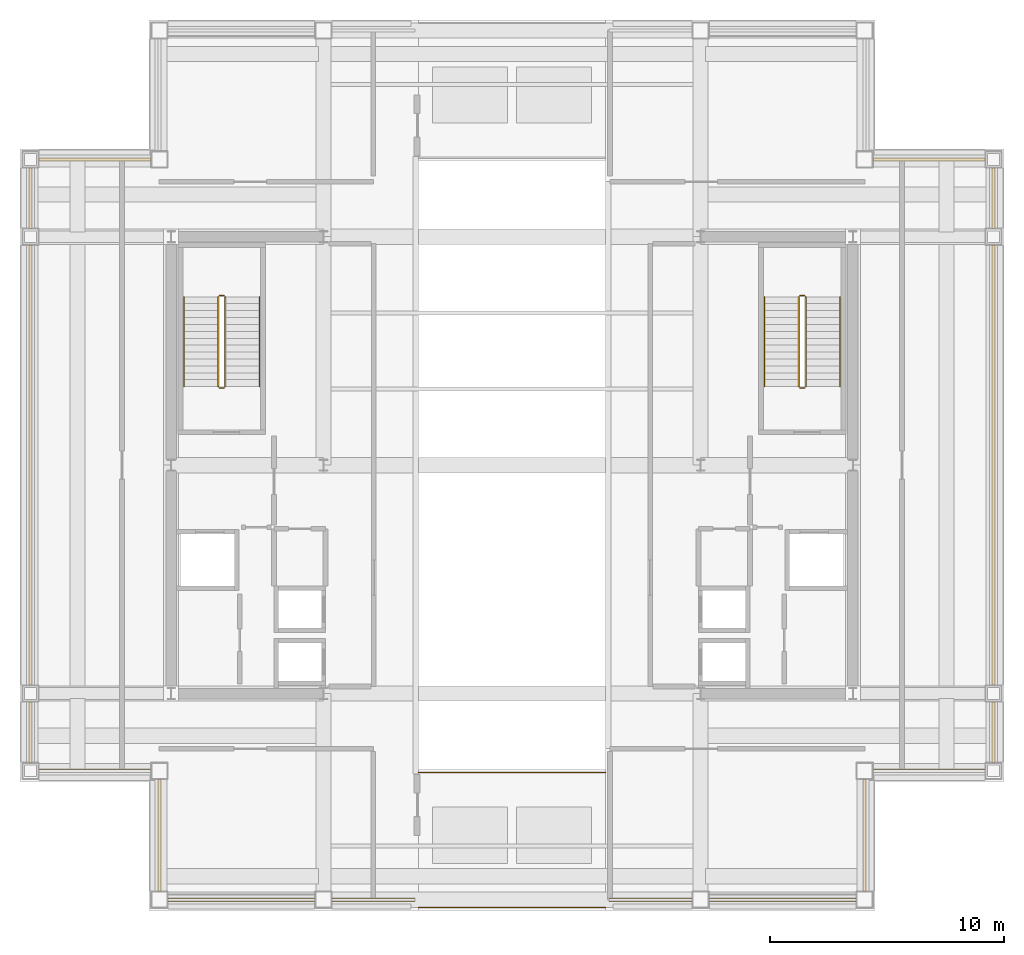
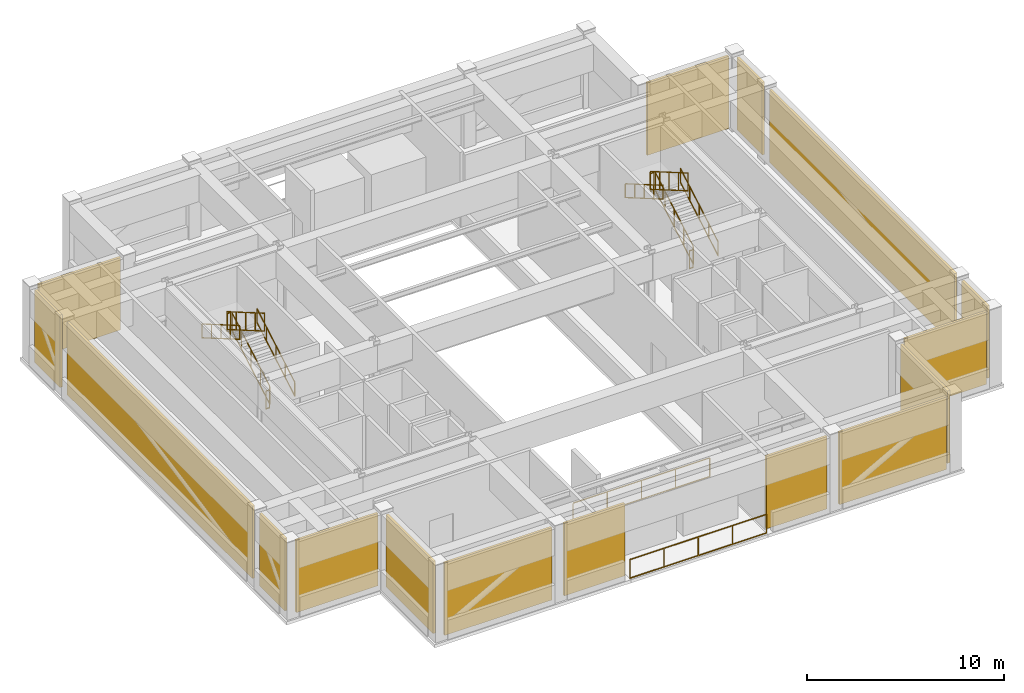
# One storey, part 6 of 8: 16 shading devices, 14 railings.
"""IFC4 building model written with IfcOpenShell, lengths in metres."""

from ifc_helpers import new_model, si_unit, direction, frame, origin, origin_2d, place, context, subcontext, project, spatial, rectangle, extrude, material, layer, layer_set, type_object, element, save


model = new_model("IFC4")

# Units and contexts
model_context = context("Model", 3, precision=1e-05, world=origin(), true_north=direction((0.0, 1.0)))
body_context = subcontext(model_context, "Body", "Model", "MODEL_VIEW")
ifc_project = project(units=[si_unit("LENGTHUNIT", "METRE"), si_unit("AREAUNIT", "SQUARE_METRE"), si_unit("VOLUMEUNIT", "CUBIC_METRE"), si_unit("PLANEANGLEUNIT", "RADIAN"), si_unit("MASSUNIT", "GRAM", prefix="KILO")], contexts=[model_context])

# Site, building, storey
site_placement = place(None, origin())
site = spatial("IfcSite", under=ifc_project, at=site_placement, CompositionType="ELEMENT")
building_placement = place(site_placement, origin())
building = spatial("IfcBuilding", under=site, at=building_placement, Name="Brelmoor Portico Tower", CompositionType="ELEMENT")
storey_placement = place(building_placement, frame((0.0, 0.0, 209.10009765625)))
storey = spatial("IfcBuildingStorey", under=building, at=storey_placement, Name="L55", CompositionType="ELEMENT", Elevation=209.10009765625)

# Railings
ifc_material_1 = material(Name="Perforated Pale Champagne Aluminium Fretwork Guard", Category="aluminium")
railing_type_1 = type_object("IfcRailingType", Name="RL-BALUSTRADE-1200", PredefinedType="BALUSTRADE", material=ifc_material_1)
for number, where, name in (
    (1, (-4.0, -18.8798828125, 0.0), "L55 Wind-Turbine Slot Guardrail 01"),
    (2, (-4.0, -13.1201171875, 0.0), "L55 Wind-Turbine Slot Guardrail 02"),
):
    element("IfcRailing", number, at=place(storey_placement, frame(where)), inside=storey, type_object=railing_type_1, Name=name, PredefinedType="BALUSTRADE", context=body_context, shape_type="SweptSolid", body=[
        extrude(rectangle(XDim=0.048095703125, YDim=0.048095703125, at=origin_2d()), frame((0.0, 0.0, 1.17578125), z_axis=(1.0, 0.0, 0.0), x_axis=(0.0, 1.0, 0.0)), (0.0, 0.0, 1.0), 8.0),
        extrude(rectangle(XDim=0.048095703125, YDim=0.048095703125, at=origin_2d()), frame((0.0, 0.0, 0.02392578125), z_axis=(1.0, 0.0, 0.0), x_axis=(0.0, 1.0, 0.0)), (0.0, 0.0, 1.0), 8.0),
        extrude(rectangle(XDim=0.0419921875, YDim=0.0419921875, at=origin_2d()), origin(), (0.0, 0.0, 1.0), 1.15185546875),
        extrude(rectangle(XDim=0.0419921875, YDim=0.0419921875, at=origin_2d()), frame((2.0, 0.0, 0.0)), (0.0, 0.0, 1.0), 1.15185546875),
        extrude(rectangle(XDim=0.0419921875, YDim=0.0419921875, at=origin_2d()), frame((4.0, 0.0, 0.0)), (0.0, 0.0, 1.0), 1.15185546875),
        extrude(rectangle(XDim=0.0419921875, YDim=0.0419921875, at=origin_2d()), frame((6.0, 0.0, 0.0)), (0.0, 0.0, 1.0), 1.15185546875),
        extrude(rectangle(XDim=0.0419921875, YDim=0.0419921875, at=origin_2d()), frame((8.0, 0.0, 0.0)), (0.0, 0.0, 1.0), 1.15185546875),
    ])
ifc_material_2 = material(Name="Painted Tubular Steel Q235B", Category="steel")
railing_type_2 = type_object("IfcRailingType", Name="RL-STAIR-GUARD", PredefinedType="GUARDRAIL", material=ifc_material_2)
railing_1_placement = place(storey_placement, frame((-12.239990234375, 3.35009765625, 0.17138671875)))
element("IfcRailing", 3, at=railing_1_placement, inside=storey, type_object=railing_type_2, Name="L55 ST-W stair guard 1", PredefinedType="GUARDRAIL", context=body_context, shape_type="SweptSolid", body=[
    extrude(rectangle(XDim=0.048095703125, YDim=0.048095703125, at=origin_2d()), frame((0.0, 0.0, 1.1259765625), z_axis=(0.0, 0.86461618451, 0.502432934314), x_axis=(-1.0, 0.0, 0.0)), (0.0, 0.0, 1.0), 4.435546875),
    extrude(rectangle(XDim=0.048095703125, YDim=0.048095703125, at=origin_2d()), frame((0.0, 0.0, 0.02392578125), z_axis=(0.0, 0.86461618451, 0.502432934314), x_axis=(-1.0, 0.0, 0.0)), (0.0, 0.0, 1.0), 4.435546875),
    extrude(rectangle(XDim=0.0419921875, YDim=0.0419921875, at=origin_2d()), origin(), (0.0, 0.0, 1.0), 1.101806640625),
    extrude(rectangle(XDim=0.0419921875, YDim=0.0419921875, at=origin_2d()), frame((0.0, 0.958740234375, 0.55712890625)), (0.0, 0.0, 1.0), 1.101806640625),
    extrude(rectangle(XDim=0.0419921875, YDim=0.0419921875, at=origin_2d()), frame((0.0, 1.91748046875, 1.1142578125)), (0.0, 0.0, 1.0), 1.101806640625),
    extrude(rectangle(XDim=0.0419921875, YDim=0.0419921875, at=origin_2d()), frame((0.0, 2.876220703125, 1.67138671875)), (0.0, 0.0, 1.0), 1.101806640625),
    extrude(rectangle(XDim=0.0419921875, YDim=0.0419921875, at=origin_2d()), frame((0.0, 3.8349609375, 2.228515625)), (0.0, 0.0, 1.0), 1.101806640625),
])
railing_2_placement = place(storey_placement, frame((-12.2900390625, 7.235107421875, 2.39990234375)))
element("IfcRailing", 4, at=railing_2_placement, inside=storey, type_object=railing_type_2, Name="L55 ST-W stair guard 2", PredefinedType="GUARDRAIL", context=body_context, shape_type="SweptSolid", body=[
    extrude(rectangle(XDim=0.048095703125, YDim=0.048095703125, at=origin_2d()), frame((0.0, 0.0, 1.1259765625), z_axis=(-1.0, 0.0, 0.0), x_axis=(0.0, -1.0, 0.0)), (0.0, 0.0, 1.0), 0.199951171875),
    extrude(rectangle(XDim=0.048095703125, YDim=0.048095703125, at=origin_2d()), frame((0.0, 0.0, 0.02392578125), z_axis=(-1.0, 0.0, 0.0), x_axis=(0.0, -1.0, 0.0)), (0.0, 0.0, 1.0), 0.199951171875),
    extrude(rectangle(XDim=0.0419921875, YDim=0.0419921875, at=origin_2d()), origin(), (0.0, 0.0, 1.0), 1.101806640625),
    extrude(rectangle(XDim=0.0419921875, YDim=0.0419921875, at=origin_2d()), frame((-0.199951171875, 0.0, 0.0)), (0.0, 0.0, 1.0), 1.101806640625),
])
railing_3_placement = place(storey_placement, frame((-12.5400390625, 7.18505859375, 2.5712890625)))
element("IfcRailing", 5, at=railing_3_placement, inside=storey, type_object=railing_type_2, Name="L55 ST-W stair guard 3", PredefinedType="GUARDRAIL", context=body_context, shape_type="SweptSolid", body=[
    extrude(rectangle(XDim=0.048095703125, YDim=0.048095703125, at=origin_2d()), frame((0.0, 0.0, 1.1259765625), z_axis=(0.0, -0.86461618451, 0.502432934314), x_axis=(1.0, 0.0, 0.0)), (0.0, 0.0, 1.0), 4.435546875),
    extrude(rectangle(XDim=0.048095703125, YDim=0.048095703125, at=origin_2d()), frame((0.0, 0.0, 0.02392578125), z_axis=(0.0, -0.86461618451, 0.502432934314), x_axis=(1.0, 0.0, 0.0)), (0.0, 0.0, 1.0), 4.435546875),
    extrude(rectangle(XDim=0.0419921875, YDim=0.0419921875, at=origin_2d()), origin(), (0.0, 0.0, 1.0), 1.101806640625),
    extrude(rectangle(XDim=0.0419921875, YDim=0.0419921875, at=origin_2d()), frame((0.0, -0.958740234375, 0.55712890625)), (0.0, 0.0, 1.0), 1.101806640625),
    extrude(rectangle(XDim=0.0419921875, YDim=0.0419921875, at=origin_2d()), frame((0.0, -1.91748046875, 1.1142578125)), (0.0, 0.0, 1.0), 1.101806640625),
    extrude(rectangle(XDim=0.0419921875, YDim=0.0419921875, at=origin_2d()), frame((0.0, -2.876220703125, 1.67138671875)), (0.0, 0.0, 1.0), 1.101806640625),
    extrude(rectangle(XDim=0.0419921875, YDim=0.0419921875, at=origin_2d()), frame((0.0, -3.8349609375, 2.228515625)), (0.0, 0.0, 1.0), 1.101806640625),
])
railing_4_placement = place(storey_placement, frame((-12.2900390625, 3.300048828125, 0.0)))
element("IfcRailing", 6, at=railing_4_placement, inside=storey, type_object=railing_type_2, Name="L55 ST-W stair guard 4", PredefinedType="GUARDRAIL", context=body_context, shape_type="SweptSolid", body=[
    extrude(rectangle(XDim=0.048095703125, YDim=0.048095703125, at=origin_2d()), frame((0.0, 0.0, 1.1259765625), z_axis=(-1.0, 0.0, 0.0), x_axis=(0.0, -1.0, 0.0)), (0.0, 0.0, 1.0), 0.199951171875),
    extrude(rectangle(XDim=0.048095703125, YDim=0.048095703125, at=origin_2d()), frame((0.0, 0.0, 0.02392578125), z_axis=(-1.0, 0.0, 0.0), x_axis=(0.0, -1.0, 0.0)), (0.0, 0.0, 1.0), 0.199951171875),
    extrude(rectangle(XDim=0.0419921875, YDim=0.0419921875, at=origin_2d()), origin(), (0.0, 0.0, 1.0), 1.101806640625),
    extrude(rectangle(XDim=0.0419921875, YDim=0.0419921875, at=origin_2d()), frame((-0.199951171875, 0.0, 0.0)), (0.0, 0.0, 1.0), 1.101806640625),
])
railing_5_placement = place(storey_placement, frame((12.5400390625, 3.35009765625, 0.17138671875)))
element("IfcRailing", 7, at=railing_5_placement, inside=storey, type_object=railing_type_2, Name="L55 ST-E stair guard 1", PredefinedType="GUARDRAIL", context=body_context, shape_type="SweptSolid", body=[
    extrude(rectangle(XDim=0.048095703125, YDim=0.048095703125, at=origin_2d()), frame((0.0, 0.0, 1.1259765625), z_axis=(0.0, 0.86461618451, 0.502432934314), x_axis=(-1.0, 0.0, 0.0)), (0.0, 0.0, 1.0), 4.435546875),
    extrude(rectangle(XDim=0.048095703125, YDim=0.048095703125, at=origin_2d()), frame((0.0, 0.0, 0.02392578125), z_axis=(0.0, 0.86461618451, 0.502432934314), x_axis=(-1.0, 0.0, 0.0)), (0.0, 0.0, 1.0), 4.435546875),
    extrude(rectangle(XDim=0.0419921875, YDim=0.0419921875, at=origin_2d()), origin(), (0.0, 0.0, 1.0), 1.101806640625),
    extrude(rectangle(XDim=0.0419921875, YDim=0.0419921875, at=origin_2d()), frame((0.0, 0.958740234375, 0.55712890625)), (0.0, 0.0, 1.0), 1.101806640625),
    extrude(rectangle(XDim=0.0419921875, YDim=0.0419921875, at=origin_2d()), frame((0.0, 1.91748046875, 1.1142578125)), (0.0, 0.0, 1.0), 1.101806640625),
    extrude(rectangle(XDim=0.0419921875, YDim=0.0419921875, at=origin_2d()), frame((0.0, 2.876220703125, 1.67138671875)), (0.0, 0.0, 1.0), 1.101806640625),
    extrude(rectangle(XDim=0.0419921875, YDim=0.0419921875, at=origin_2d()), frame((0.0, 3.8349609375, 2.228515625)), (0.0, 0.0, 1.0), 1.101806640625),
])
railing_6_placement = place(storey_placement, frame((12.489990234375, 7.235107421875, 2.39990234375)))
element("IfcRailing", 8, at=railing_6_placement, inside=storey, type_object=railing_type_2, Name="L55 ST-E stair guard 2", PredefinedType="GUARDRAIL", context=body_context, shape_type="SweptSolid", body=[
    extrude(rectangle(XDim=0.048095703125, YDim=0.048095703125, at=origin_2d()), frame((0.0, 0.0, 1.1259765625), z_axis=(-1.0, 0.0, 0.0), x_axis=(0.0, -1.0, 0.0)), (0.0, 0.0, 1.0), 0.199951171875),
    extrude(rectangle(XDim=0.048095703125, YDim=0.048095703125, at=origin_2d()), frame((0.0, 0.0, 0.02392578125), z_axis=(-1.0, 0.0, 0.0), x_axis=(0.0, -1.0, 0.0)), (0.0, 0.0, 1.0), 0.199951171875),
    extrude(rectangle(XDim=0.0419921875, YDim=0.0419921875, at=origin_2d()), origin(), (0.0, 0.0, 1.0), 1.101806640625),
    extrude(rectangle(XDim=0.0419921875, YDim=0.0419921875, at=origin_2d()), frame((-0.199951171875, 0.0, 0.0)), (0.0, 0.0, 1.0), 1.101806640625),
])
railing_7_placement = place(storey_placement, frame((12.239990234375, 7.18505859375, 2.5712890625)))
element("IfcRailing", 9, at=railing_7_placement, inside=storey, type_object=railing_type_2, Name="L55 ST-E stair guard 3", PredefinedType="GUARDRAIL", context=body_context, shape_type="SweptSolid", body=[
    extrude(rectangle(XDim=0.048095703125, YDim=0.048095703125, at=origin_2d()), frame((0.0, 0.0, 1.1259765625), z_axis=(0.0, -0.86461618451, 0.502432934314), x_axis=(1.0, 0.0, 0.0)), (0.0, 0.0, 1.0), 4.435546875),
    extrude(rectangle(XDim=0.048095703125, YDim=0.048095703125, at=origin_2d()), frame((0.0, 0.0, 0.02392578125), z_axis=(0.0, -0.86461618451, 0.502432934314), x_axis=(1.0, 0.0, 0.0)), (0.0, 0.0, 1.0), 4.435546875),
    extrude(rectangle(XDim=0.0419921875, YDim=0.0419921875, at=origin_2d()), origin(), (0.0, 0.0, 1.0), 1.101806640625),
    extrude(rectangle(XDim=0.0419921875, YDim=0.0419921875, at=origin_2d()), frame((0.0, -0.958740234375, 0.55712890625)), (0.0, 0.0, 1.0), 1.101806640625),
    extrude(rectangle(XDim=0.0419921875, YDim=0.0419921875, at=origin_2d()), frame((0.0, -1.91748046875, 1.1142578125)), (0.0, 0.0, 1.0), 1.101806640625),
    extrude(rectangle(XDim=0.0419921875, YDim=0.0419921875, at=origin_2d()), frame((0.0, -2.876220703125, 1.67138671875)), (0.0, 0.0, 1.0), 1.101806640625),
    extrude(rectangle(XDim=0.0419921875, YDim=0.0419921875, at=origin_2d()), frame((0.0, -3.8349609375, 2.228515625)), (0.0, 0.0, 1.0), 1.101806640625),
])
railing_8_placement = place(storey_placement, frame((12.489990234375, 3.300048828125, 0.0)))
element("IfcRailing", 10, at=railing_8_placement, inside=storey, type_object=railing_type_2, Name="L55 ST-E stair guard 4", PredefinedType="GUARDRAIL", context=body_context, shape_type="SweptSolid", body=[
    extrude(rectangle(XDim=0.048095703125, YDim=0.048095703125, at=origin_2d()), frame((0.0, 0.0, 1.1259765625), z_axis=(-1.0, 0.0, 0.0), x_axis=(0.0, -1.0, 0.0)), (0.0, 0.0, 1.0), 0.199951171875),
    extrude(rectangle(XDim=0.048095703125, YDim=0.048095703125, at=origin_2d()), frame((0.0, 0.0, 0.02392578125), z_axis=(-1.0, 0.0, 0.0), x_axis=(0.0, -1.0, 0.0)), (0.0, 0.0, 1.0), 0.199951171875),
    extrude(rectangle(XDim=0.0419921875, YDim=0.0419921875, at=origin_2d()), origin(), (0.0, 0.0, 1.0), 1.101806640625),
    extrude(rectangle(XDim=0.0419921875, YDim=0.0419921875, at=origin_2d()), frame((-0.199951171875, 0.0, 0.0)), (0.0, 0.0, 1.0), 1.101806640625),
])
ifc_material_3 = material(Name="Brushed Stainless Steel 304", Category="steel")
railing_type_3 = type_object("IfcRailingType", Name="RL-STAIR-HANDRAIL", PredefinedType="HANDRAIL", material=ifc_material_3)
railing_9_placement = place(storey_placement, frame((-10.780029296875, 3.35009765625, 0.17138671875)))
element("IfcRailing", 11, at=railing_9_placement, inside=storey, type_object=railing_type_3, Name="L55 ST-W stair handrail 1", PredefinedType="HANDRAIL", context=body_context, shape_type="SweptSolid", body=[
    extrude(rectangle(XDim=0.048095703125, YDim=0.048095703125, at=origin_2d()), frame((0.0, 0.0, 0.8759765625), z_axis=(0.0, 0.86461618451, 0.502432934314), x_axis=(-1.0, 0.0, 0.0)), (0.0, 0.0, 1.0), 4.435546875),
    extrude(rectangle(XDim=0.048095703125, YDim=0.048095703125, at=origin_2d()), frame((0.0, 0.0, 0.02392578125), z_axis=(0.0, 0.86461618451, 0.502432934314), x_axis=(-1.0, 0.0, 0.0)), (0.0, 0.0, 1.0), 4.435546875),
    extrude(rectangle(XDim=0.0419921875, YDim=0.0419921875, at=origin_2d()), origin(), (0.0, 0.0, 1.0), 0.851806640625),
    extrude(rectangle(XDim=0.0419921875, YDim=0.0419921875, at=origin_2d()), frame((0.0, 0.958740234375, 0.55712890625)), (0.0, 0.0, 1.0), 0.851806640625),
    extrude(rectangle(XDim=0.0419921875, YDim=0.0419921875, at=origin_2d()), frame((0.0, 1.91748046875, 1.1142578125)), (0.0, 0.0, 1.0), 0.851806640625),
    extrude(rectangle(XDim=0.0419921875, YDim=0.0419921875, at=origin_2d()), frame((0.0, 2.876220703125, 1.67138671875)), (0.0, 0.0, 1.0), 0.851806640625),
    extrude(rectangle(XDim=0.0419921875, YDim=0.0419921875, at=origin_2d()), frame((0.0, 3.8349609375, 2.228515625)), (0.0, 0.0, 1.0), 0.851806640625),
])
railing_10_placement = place(storey_placement, frame((-14.0, 7.18505859375, 2.5712890625)))
element("IfcRailing", 12, at=railing_10_placement, inside=storey, type_object=railing_type_3, Name="L55 ST-W stair handrail 2", PredefinedType="HANDRAIL", context=body_context, shape_type="SweptSolid", body=[
    extrude(rectangle(XDim=0.048095703125, YDim=0.048095703125, at=origin_2d()), frame((0.0, 0.0, 0.8759765625), z_axis=(0.0, -0.86461618451, 0.502432934314), x_axis=(1.0, 0.0, 0.0)), (0.0, 0.0, 1.0), 4.435546875),
    extrude(rectangle(XDim=0.048095703125, YDim=0.048095703125, at=origin_2d()), frame((0.0, 0.0, 0.02392578125), z_axis=(0.0, -0.86461618451, 0.502432934314), x_axis=(1.0, 0.0, 0.0)), (0.0, 0.0, 1.0), 4.435546875),
    extrude(rectangle(XDim=0.0419921875, YDim=0.0419921875, at=origin_2d()), origin(), (0.0, 0.0, 1.0), 0.851806640625),
    extrude(rectangle(XDim=0.0419921875, YDim=0.0419921875, at=origin_2d()), frame((0.0, -0.958740234375, 0.55712890625)), (0.0, 0.0, 1.0), 0.851806640625),
    extrude(rectangle(XDim=0.0419921875, YDim=0.0419921875, at=origin_2d()), frame((0.0, -1.91748046875, 1.1142578125)), (0.0, 0.0, 1.0), 0.851806640625),
    extrude(rectangle(XDim=0.0419921875, YDim=0.0419921875, at=origin_2d()), frame((0.0, -2.876220703125, 1.67138671875)), (0.0, 0.0, 1.0), 0.851806640625),
    extrude(rectangle(XDim=0.0419921875, YDim=0.0419921875, at=origin_2d()), frame((0.0, -3.8349609375, 2.228515625)), (0.0, 0.0, 1.0), 0.851806640625),
])
railing_11_placement = place(storey_placement, frame((14.0, 3.35009765625, 0.17138671875)))
element("IfcRailing", 13, at=railing_11_placement, inside=storey, type_object=railing_type_3, Name="L55 ST-E stair handrail 1", PredefinedType="HANDRAIL", context=body_context, shape_type="SweptSolid", body=[
    extrude(rectangle(XDim=0.048095703125, YDim=0.048095703125, at=origin_2d()), frame((0.0, 0.0, 0.8759765625), z_axis=(0.0, 0.86461618451, 0.502432934314), x_axis=(-1.0, 0.0, 0.0)), (0.0, 0.0, 1.0), 4.435546875),
    extrude(rectangle(XDim=0.048095703125, YDim=0.048095703125, at=origin_2d()), frame((0.0, 0.0, 0.02392578125), z_axis=(0.0, 0.86461618451, 0.502432934314), x_axis=(-1.0, 0.0, 0.0)), (0.0, 0.0, 1.0), 4.435546875),
    extrude(rectangle(XDim=0.0419921875, YDim=0.0419921875, at=origin_2d()), origin(), (0.0, 0.0, 1.0), 0.851806640625),
    extrude(rectangle(XDim=0.0419921875, YDim=0.0419921875, at=origin_2d()), frame((0.0, 0.958740234375, 0.55712890625)), (0.0, 0.0, 1.0), 0.851806640625),
    extrude(rectangle(XDim=0.0419921875, YDim=0.0419921875, at=origin_2d()), frame((0.0, 1.91748046875, 1.1142578125)), (0.0, 0.0, 1.0), 0.851806640625),
    extrude(rectangle(XDim=0.0419921875, YDim=0.0419921875, at=origin_2d()), frame((0.0, 2.876220703125, 1.67138671875)), (0.0, 0.0, 1.0), 0.851806640625),
    extrude(rectangle(XDim=0.0419921875, YDim=0.0419921875, at=origin_2d()), frame((0.0, 3.8349609375, 2.228515625)), (0.0, 0.0, 1.0), 0.851806640625),
])
railing_12_placement = place(storey_placement, frame((10.780029296875, 7.18505859375, 2.5712890625)))
element("IfcRailing", 14, at=railing_12_placement, inside=storey, type_object=railing_type_3, Name="L55 ST-E stair handrail 2", PredefinedType="HANDRAIL", context=body_context, shape_type="SweptSolid", body=[
    extrude(rectangle(XDim=0.048095703125, YDim=0.048095703125, at=origin_2d()), frame((0.0, 0.0, 0.8759765625), z_axis=(0.0, -0.86461618451, 0.502432934314), x_axis=(1.0, 0.0, 0.0)), (0.0, 0.0, 1.0), 4.435546875),
    extrude(rectangle(XDim=0.048095703125, YDim=0.048095703125, at=origin_2d()), frame((0.0, 0.0, 0.02392578125), z_axis=(0.0, -0.86461618451, 0.502432934314), x_axis=(1.0, 0.0, 0.0)), (0.0, 0.0, 1.0), 4.435546875),
    extrude(rectangle(XDim=0.0419921875, YDim=0.0419921875, at=origin_2d()), origin(), (0.0, 0.0, 1.0), 0.851806640625),
    extrude(rectangle(XDim=0.0419921875, YDim=0.0419921875, at=origin_2d()), frame((0.0, -0.958740234375, 0.55712890625)), (0.0, 0.0, 1.0), 0.851806640625),
    extrude(rectangle(XDim=0.0419921875, YDim=0.0419921875, at=origin_2d()), frame((0.0, -1.91748046875, 1.1142578125)), (0.0, 0.0, 1.0), 0.851806640625),
    extrude(rectangle(XDim=0.0419921875, YDim=0.0419921875, at=origin_2d()), frame((0.0, -2.876220703125, 1.67138671875)), (0.0, 0.0, 1.0), 0.851806640625),
    extrude(rectangle(XDim=0.0419921875, YDim=0.0419921875, at=origin_2d()), frame((0.0, -3.8349609375, 2.228515625)), (0.0, 0.0, 1.0), 0.851806640625),
])

# Shading devices
ifc_material_4 = material(Name="Extruded Aluminium Acoustic Weather Louvre", Category="aluminium")
ifc_layer = layer(ifc_material_4, 0.139892578125)
ifc_layer_set = layer_set([ifc_layer], Name="Extruded Aluminium Acoustic Weather Louvre")
shading_device_type = type_object("IfcShadingDeviceType", Name="SD-PLANT-LOUVRE", PredefinedType="USERDEFINED", material=ifc_layer_set)
shading_device_1_placement = place(storey_placement, frame((-11.550048828125, -18.550048828125, 0.059814453125), z_axis=(0.0, 0.0, 1.0), x_axis=(1.0, 0.0, 0.0)))
element("IfcShadingDevice", 15, at=shading_device_1_placement, inside=storey, type_object=shading_device_type, Name="L55 Acoustic Plant Louvre S1-1", ObjectType="LOUVRE", PredefinedType="USERDEFINED", context=body_context, shape_type="SweptSolid", body=[
    extrude(rectangle(XDim=6.280029296875, YDim=0.139892578125, at=origin_2d()), origin(), (0.0, 0.0, 1.0), 4.47998046875),
])
for number, where, z_axis, x_axis, name in (
    (16, (-5.919921875, -18.550048828125, 0.059814453125), (0.0, 0.0, 1.0), (1.0, 0.0, 0.0), "L55 Acoustic Plant Louvre S1-2"),
    (17, (5.919921875, -18.550048828125, 0.059814453125), (0.0, 0.0, 1.0), (1.0, 0.0, 0.0), "L55 Acoustic Plant Louvre S2-1"),
):
    element("IfcShadingDevice", number, at=place(storey_placement, frame(where, z_axis=z_axis, x_axis=x_axis)), inside=storey, type_object=shading_device_type, Name=name, ObjectType="LOUVRE", PredefinedType="USERDEFINED", context=body_context, shape_type="SweptSolid", body=[
        extrude(rectangle(XDim=3.5400390625, YDim=0.139892578125, at=origin_2d()), origin(), (0.0, 0.0, 1.0), 4.47998046875),
    ])
shading_device_2_placement = place(storey_placement, frame((11.550048828125, -18.550048828125, 0.059814453125), z_axis=(0.0, 0.0, 1.0), x_axis=(1.0, 0.0, 0.0)))
element("IfcShadingDevice", 18, at=shading_device_2_placement, inside=storey, type_object=shading_device_type, Name="L55 Acoustic Plant Louvre S2-2", ObjectType="LOUVRE", PredefinedType="USERDEFINED", context=body_context, shape_type="SweptSolid", body=[
    extrude(rectangle(XDim=6.280029296875, YDim=0.139892578125, at=origin_2d()), origin(), (0.0, 0.0, 1.0), 4.47998046875),
])
shading_device_3_placement = place(storey_placement, frame((-20.550048828125, -11.39990234375, 0.059814453125), z_axis=(0.0, 0.0, 1.0), x_axis=(0.0, 1.0, 0.0)))
element("IfcShadingDevice", 19, at=shading_device_3_placement, inside=storey, type_object=shading_device_type, Name="L55 Acoustic Plant Louvre W-1", ObjectType="LOUVRE", PredefinedType="USERDEFINED", context=body_context, shape_type="SweptSolid", body=[
    extrude(rectangle(XDim=2.580078125, YDim=0.139892578125, at=origin_2d()), origin(), (0.0, 0.0, 1.0), 4.47998046875),
])
shading_device_4_placement = place(storey_placement, frame((-20.550048828125, 0.0, 0.059814453125), z_axis=(0.0, 0.0, 1.0), x_axis=(0.0, 1.0, 0.0)))
element("IfcShadingDevice", 20, at=shading_device_4_placement, inside=storey, type_object=shading_device_type, Name="L55 Acoustic Plant Louvre W-2", ObjectType="LOUVRE", PredefinedType="USERDEFINED", context=body_context, shape_type="SweptSolid", body=[
    extrude(rectangle(XDim=18.780029296875, YDim=0.139892578125, at=origin_2d()), origin(), (0.0, 0.0, 1.0), 4.47998046875),
])
for number, where, z_axis, x_axis, name in (
    (21, (-20.550048828125, 11.39990234375, 0.059814453125), (0.0, 0.0, 1.0), (0.0, 1.0, 0.0), "L55 Acoustic Plant Louvre W-3"),
    (22, (20.550048828125, -11.39990234375, 0.059814453125), (0.0, 0.0, 1.0), (0.0, 1.0, 0.0), "L55 Acoustic Plant Louvre E-1"),
):
    element("IfcShadingDevice", number, at=place(storey_placement, frame(where, z_axis=z_axis, x_axis=x_axis)), inside=storey, type_object=shading_device_type, Name=name, ObjectType="LOUVRE", PredefinedType="USERDEFINED", context=body_context, shape_type="SweptSolid", body=[
        extrude(rectangle(XDim=2.580078125, YDim=0.139892578125, at=origin_2d()), origin(), (0.0, 0.0, 1.0), 4.47998046875),
    ])
shading_device_5_placement = place(storey_placement, frame((20.550048828125, 0.0, 0.059814453125), z_axis=(0.0, 0.0, 1.0), x_axis=(0.0, 1.0, 0.0)))
element("IfcShadingDevice", 23, at=shading_device_5_placement, inside=storey, type_object=shading_device_type, Name="L55 Acoustic Plant Louvre E-2", ObjectType="LOUVRE", PredefinedType="USERDEFINED", context=body_context, shape_type="SweptSolid", body=[
    extrude(rectangle(XDim=18.780029296875, YDim=0.139892578125, at=origin_2d()), origin(), (0.0, 0.0, 1.0), 4.47998046875),
])
shading_device_6_placement = place(storey_placement, frame((20.550048828125, 11.39990234375, 0.059814453125), z_axis=(0.0, 0.0, 1.0), x_axis=(0.0, 1.0, 0.0)))
element("IfcShadingDevice", 24, at=shading_device_6_placement, inside=storey, type_object=shading_device_type, Name="L55 Acoustic Plant Louvre E-3", ObjectType="LOUVRE", PredefinedType="USERDEFINED", context=body_context, shape_type="SweptSolid", body=[
    extrude(rectangle(XDim=2.580078125, YDim=0.139892578125, at=origin_2d()), origin(), (0.0, 0.0, 1.0), 4.47998046875),
])
for number, where, z_axis, x_axis, name in (
    (25, (-15.050048828125, -15.800048828125, 0.059814453125), (0.0, 0.0, 1.0), (0.0, 1.0, 0.0), "L55 Acoustic Plant Louvre SW1-1"),
    (26, (-17.800048828125, -13.050048828125, 0.059814453125), (0.0, 0.0, 1.0), (1.0, 0.0, 0.0), "L55 Acoustic Plant Louvre SW2-1"),
    (27, (15.050048828125, -15.800048828125, 0.059814453125), (0.0, 0.0, 1.0), (0.0, 1.0, 0.0), "L55 Acoustic Plant Louvre SE1-1"),
    (28, (17.800048828125, -13.050048828125, 0.059814453125), (0.0, 0.0, 1.0), (1.0, 0.0, 0.0), "L55 Acoustic Plant Louvre SE2-1"),
    (29, (-17.800048828125, 13.050048828125, 0.059814453125), (0.0, 0.0, 1.0), (1.0, 0.0, 0.0), "L55 Acoustic Plant Louvre NW2-1"),
    (30, (17.800048828125, 13.050048828125, 0.059814453125), (0.0, 0.0, 1.0), (1.0, 0.0, 0.0), "L55 Acoustic Plant Louvre NE2-1"),
):
    element("IfcShadingDevice", number, at=place(storey_placement, frame(where, z_axis=z_axis, x_axis=x_axis)), inside=storey, type_object=shading_device_type, Name=name, ObjectType="LOUVRE", PredefinedType="USERDEFINED", context=body_context, shape_type="SweptSolid", body=[
        extrude(rectangle(XDim=4.780029296875, YDim=0.139892578125, at=origin_2d()), origin(), (0.0, 0.0, 1.0), 4.47998046875),
    ])

save(model, "model.ifc")
